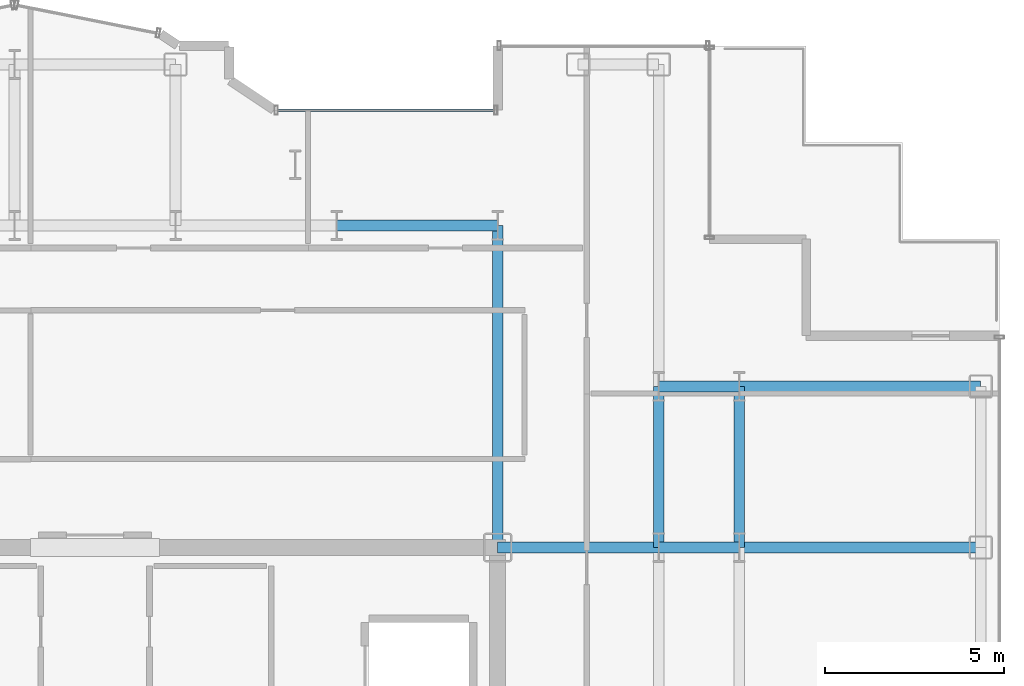
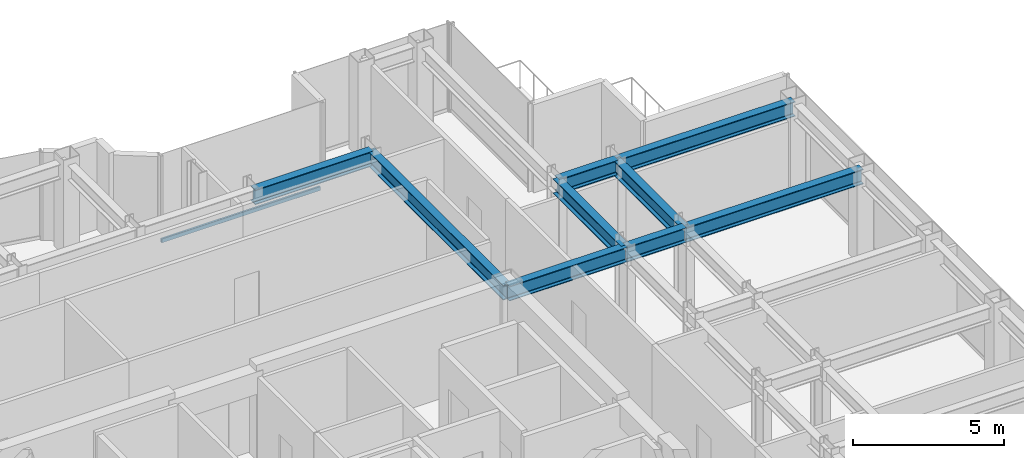
# One storey, part 11 of 20: 9 beams, 1 member, 1 element without a shape of its own.
"""IFC4 building model written with IfcOpenShell, lengths in metres."""

from ifc_helpers import new_model, si_unit, direction, frame, origin, origin_2d, place, context, subcontext, project, spatial, hollow_rectangle, i_section, extrude, source, transform, mapped, material, layer, layer_set, material_profile, profile_set, type_object, element, aggregate, save


model = new_model("IFC4")

# Units and contexts
model_context = context("Model", 3, precision=1e-05, world=origin(), true_north=direction((0.0, 1.0)))
body_context = subcontext(model_context, "Body", "Model", "MODEL_VIEW")
ifc_project = project(units=[si_unit("LENGTHUNIT", "METRE"), si_unit("AREAUNIT", "SQUARE_METRE"), si_unit("VOLUMEUNIT", "CUBIC_METRE"), si_unit("PLANEANGLEUNIT", "RADIAN"), si_unit("MASSUNIT", "GRAM", prefix="KILO")], contexts=[model_context])

# Site, building, storey
site_placement = place(None, origin())
site = spatial("IfcSite", under=ifc_project, at=site_placement, CompositionType="ELEMENT")
building_placement = place(site_placement, origin())
building = spatial("IfcBuilding", under=site, at=building_placement, Name="Nefas-Gora Pilgrimage Tower", CompositionType="ELEMENT")
storey_placement = place(building_placement, frame((0.0, 0.0, 221.800048828125)))
storey = spatial("IfcBuildingStorey", under=building, at=storey_placement, Name="L55", CompositionType="ELEMENT", Elevation=221.800048828125)

# Beams
ifc_material_1 = material(Name="Steel S355", Category="steel")
ifc_material_profile_1 = material_profile(ifc_material_1, i_section(OverallWidth=0.300048828125, OverallDepth=0.60009765625, WebThickness=0.015380859375, FlangeThickness=0.030029296875, FilletRadius=0.027099609375, at=origin_2d()), Name="HEB 600")
ifc_profile_set_1 = profile_set([ifc_material_profile_1], Name="Steel S355")
beam_type = type_object("IfcBeamType", Name="BM-GIR-HEB600", PredefinedType="BEAM", material=ifc_profile_set_1)
shared_shape_1 = source(origin(), body_context, "Body", "SweptSolid", [
    extrude(i_section(OverallWidth=0.300048828125, OverallDepth=0.60009765625, WebThickness=0.015380859375, FlangeThickness=0.030029296875, FilletRadius=0.027099609375, at=origin_2d()), origin(), (0.0, 0.0, 1.0), 9.0),
])
beam_placement = place(storey_placement, frame((11.25, 9.0, 3.25), z_axis=(0.0, 1.0, 0.0), x_axis=(-1.0, 0.0, 0.0)))
element("IfcBeam", 1, at=beam_placement, inside=storey, type_object=beam_type, Name="L55 G-04 beam", PredefinedType="BEAM", context=body_context, shape_type="MappedRepresentation", body=[
    mapped(shared_shape_1, transform((0.0, 0.0, 0.0), x_axis=(1.0, 0.0, 0.0), y_axis=(0.0, 1.0, 0.0), z_axis=(0.0, 0.0, 1.0), scale=1.0)),
])
shared_shape_2 = source(origin(), body_context, "Body", "SweptSolid", [
    extrude(i_section(OverallWidth=0.300048828125, OverallDepth=0.60009765625, WebThickness=0.015380859375, FlangeThickness=0.030029296875, FilletRadius=0.027099609375, at=origin_2d()), origin(), (0.0, 0.0, 1.0), 4.5),
])
for number, where, z_axis, x_axis, name in (
    (2, (6.75, 18.0, 3.25), (1.0, 0.0, 0.0), (0.0, 1.0, 0.0), "L55 G-04 beam"),
    (3, (11.25, 9.0, 3.25), (1.0, 0.0, 0.0), (0.0, 1.0, 0.0), "L55 G-04 beam"),
    (4, (15.75, 9.0, 3.25), (0.0, 1.0, 0.0), (-1.0, 0.0, 0.0), "L55 G-04 beam"),
    (5, (18.0, 9.0, 3.25), (0.0, 1.0, 0.0), (-1.0, 0.0, 0.0), "L55 G-04 beam"),
):
    element("IfcBeam", number, at=place(storey_placement, frame(where, z_axis=z_axis, x_axis=x_axis)), inside=storey, type_object=beam_type, Name=name, PredefinedType="BEAM", context=body_context, shape_type="MappedRepresentation", body=[
        mapped(shared_shape_2, transform((0.0, 0.0, 0.0), x_axis=(1.0, 0.0, 0.0), y_axis=(0.0, 1.0, 0.0), z_axis=(0.0, 0.0, 1.0), scale=1.0)),
    ])
shared_shape_3 = source(origin(), body_context, "Body", "SweptSolid", [
    extrude(i_section(OverallWidth=0.300048828125, OverallDepth=0.60009765625, WebThickness=0.015380859375, FlangeThickness=0.030029296875, FilletRadius=0.027099609375, at=origin_2d()), origin(), (0.0, 0.0, 1.0), 6.75),
])
for number, where, z_axis, x_axis, name in (
    (6, (18.0, 9.0, 3.25), (1.0, 0.0, 0.0), (0.0, 1.0, 0.0), "L55 G-04 beam"),
    (7, (18.0, 13.5, 3.25), (1.0, 0.0, 0.0), (0.0, 1.0, 0.0), "L55 G-04 beam"),
):
    element("IfcBeam", number, at=place(storey_placement, frame(where, z_axis=z_axis, x_axis=x_axis)), inside=storey, type_object=beam_type, Name=name, PredefinedType="BEAM", context=body_context, shape_type="MappedRepresentation", body=[
        mapped(shared_shape_3, transform((0.0, 0.0, 0.0), x_axis=(1.0, 0.0, 0.0), y_axis=(0.0, 1.0, 0.0), z_axis=(0.0, 0.0, 1.0), scale=1.0)),
    ])
shared_shape_4 = source(origin(), body_context, "Body", "SweptSolid", [
    extrude(i_section(OverallWidth=0.300048828125, OverallDepth=0.60009765625, WebThickness=0.015380859375, FlangeThickness=0.030029296875, FilletRadius=0.027099609375, at=origin_2d()), origin(), (0.0, 0.0, 1.0), 2.25),
])
for number, where, z_axis, x_axis, name in (
    (8, (15.75, 9.0, 3.25), (1.0, 0.0, 0.0), (0.0, 1.0, 0.0), "L55 G-04 beam"),
    (9, (15.75, 13.5, 3.25), (1.0, 0.0, 0.0), (0.0, 1.0, 0.0), "L55 G-04 beam"),
):
    element("IfcBeam", number, at=place(storey_placement, frame(where, z_axis=z_axis, x_axis=x_axis)), inside=storey, type_object=beam_type, Name=name, PredefinedType="BEAM", context=body_context, shape_type="MappedRepresentation", body=[
        mapped(shared_shape_4, transform((0.0, 0.0, 0.0), x_axis=(1.0, 0.0, 0.0), y_axis=(0.0, 1.0, 0.0), z_axis=(0.0, 0.0, 1.0), scale=1.0)),
    ])

# Curtain wall, member
ifc_material_2 = material(Name="Dark ceramic-fritted solar-control aluminium-glass curtain wall", Category="aluminium")
ifc_layer = layer(ifc_material_2, 0.219970703125)
ifc_layer_set = layer_set([ifc_layer], Name="Dark ceramic-fritted solar-control aluminium-glass curtain wall")
curtain_wall_type = type_object("IfcCurtainWallType", Name="CW-SYS-5", PredefinedType="NOTDEFINED", material=ifc_layer_set)
curtain_wall_placement = place(storey_placement, origin())
curtain_wall = element("IfcCurtainWall", 10, at=curtain_wall_placement, inside=storey, type_object=curtain_wall_type, Name="L55 Unitised Curtain Wall CW5", PredefinedType="NOTDEFINED")
ifc_material_3 = material(Name="Anodised architectural aluminium", Category="aluminium")
ifc_material_profile_2 = material_profile(ifc_material_3, hollow_rectangle(XDim=0.080078125, YDim=0.159912109375, WallThickness=0.00439453125, InnerFilletRadius=0.00439453125, OuterFilletRadius=0.009033203125, at=origin_2d()), Name="ALU TRANSOM 80x160")
ifc_profile_set_2 = profile_set([ifc_material_profile_2], Name="Anodised architectural aluminium")
member_type = type_object("IfcMemberType", Name="CWM-TRN-5", PredefinedType="USERDEFINED", material=ifc_profile_set_2)
shared_shape_5 = source(origin(), body_context, "Body", "SweptSolid", [
    extrude(hollow_rectangle(XDim=0.080078125, YDim=0.159912109375, WallThickness=0.00439453125, InnerFilletRadius=0.00439453125, OuterFilletRadius=0.009033203125, at=origin_2d()), origin(), (0.0, 0.0, 1.0), 6.052001953125),
])
member_placement = place(storey_placement, frame((11.159912109375, 21.219970703125, 0.050048828125), z_axis=(-1.0, 0.0, 0.0), x_axis=(0.0, -1.0, 0.0)))
member = element("IfcMember", 11, at=member_placement, type_object=member_type, Name="CW5 Spandrel Transom", ObjectType="TRANSOM", PredefinedType="USERDEFINED", context=body_context, shape_type="MappedRepresentation", body=[
    mapped(shared_shape_5, transform((0.0, 0.0, 0.0), x_axis=(1.0, 0.0, 0.0), y_axis=(0.0, 1.0, 0.0), z_axis=(0.0, 0.0, 1.0), scale=1.0)),
])
aggregate(curtain_wall, [member])

save(model, "model.ifc")
